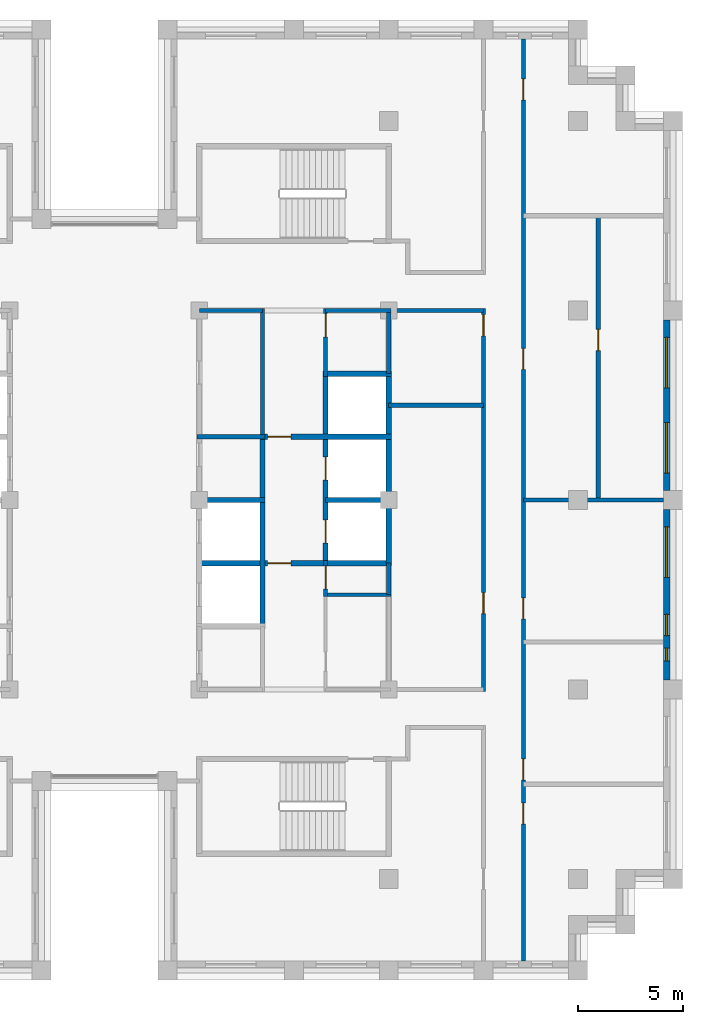
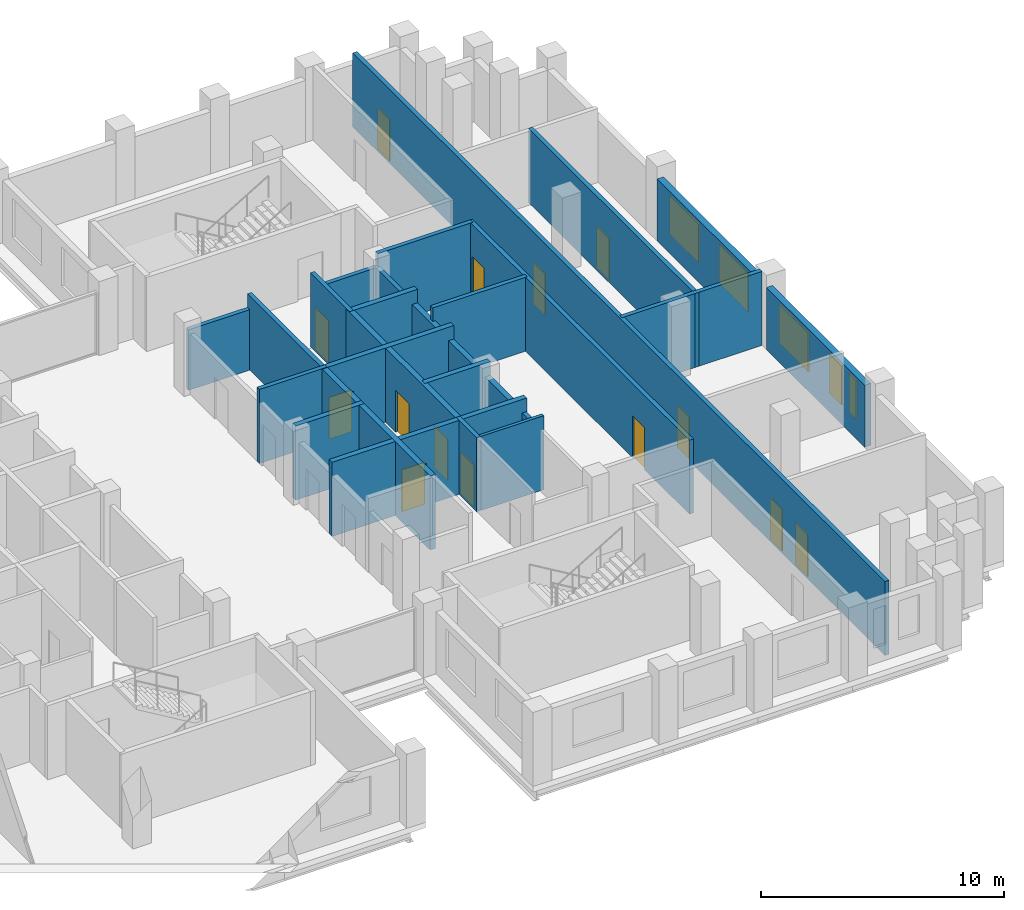
# One storey, part 9 of 13: 25 walls, 14 doors, 5 windows, 19 openings.
"""IFC4 building model written with IfcOpenShell, lengths in metres."""

from ifc_helpers import new_model, si_unit, direction, frame, frame_2d, origin, place, context, subcontext, project, spatial, rectangle, extrude, material, layer, layer_set, type_object, element, fill, save


model = new_model("IFC4")

# Units and contexts
model_context = context("Model", 3, precision=1e-05, world=origin(), true_north=direction((0.0, 1.0)))
body_context = subcontext(model_context, "Body", "Model", "MODEL_VIEW")
ifc_project = project(units=[si_unit("LENGTHUNIT", "METRE"), si_unit("AREAUNIT", "SQUARE_METRE"), si_unit("VOLUMEUNIT", "CUBIC_METRE"), si_unit("PLANEANGLEUNIT", "RADIAN"), si_unit("MASSUNIT", "GRAM", prefix="KILO")], contexts=[model_context])

# Site, building, storey
site_placement = place(None, origin())
site = spatial("IfcSite", under=ifc_project, at=site_placement, CompositionType="ELEMENT")
building_placement = place(site_placement, origin())
building = spatial("IfcBuilding", under=site, at=building_placement, Name="Corbelhall Arena Tower", CompositionType="ELEMENT")
storey_placement = place(building_placement, frame((0.0, 0.0, 250.0)))
storey = spatial("IfcBuildingStorey", under=building, at=storey_placement, Name="L53", CompositionType="ELEMENT", Elevation=250.0)

# Wall, openings, windows
ifc_material_1 = material(Name="Precast concrete C40/50 with granite facing", Category="masonry")
ifc_layer_1 = layer(ifc_material_1, 0.300048828125)
ifc_layer_set_1 = layer_set([ifc_layer_1], Name="EV-IW1 Infill panel 300")
wall_type_1 = type_object("IfcWallType", Name="EV-IW1 Infill panel 300", PredefinedType="SOLIDWALL", material=ifc_layer_set_1)
wall_1_placement = place(storey_placement, frame((26.699951171875, -8.550048828125, 0.0), z_axis=(0.0, 0.0, 1.0), x_axis=(0.0, 1.0, 0.0)))
wall_1 = element("IfcWall", 1, at=wall_1_placement, inside=storey, type_object=wall_type_1, Name="Infill panel IW1", PredefinedType="SOLIDWALL", context=body_context, shape_type="SweptSolid", body=[
    extrude(rectangle(XDim=8.10009765625, YDim=0.300048828125, at=frame_2d((4.050048828125, 0.0))), origin(), (0.0, 0.0, 1.0), 3.1201171875),
])
opening_1_placement = place(wall_1_placement, frame((4.875, 0.0, 0.800048828125)))
opening_1 = element("IfcOpeningElement", 2, at=opening_1_placement, cuts=wall_1, Name="Opening WN1", PredefinedType="OPENING", context=body_context, shape_type="SweptSolid", body=[
    extrude(rectangle(XDim=2.39990234375, YDim=1.949951171875, at=frame_2d((1.199951171875, 0.97509765625))), frame((0.0, 0.14990234375, 0.0), z_axis=(0.0, -1.0, 0.0), x_axis=(1.0, 0.0, 0.0)), (0.0, 0.0, 1.0), 0.300048828125),
])
opening_2_placement = place(wall_1_placement, frame((0.91259765625, 0.0, 0.800048828125)))
opening_2 = element("IfcOpeningElement", 3, at=opening_2_placement, cuts=wall_1, Name="Opening WN5", PredefinedType="OPENING", context=body_context, shape_type="SweptSolid", body=[
    extrude(rectangle(XDim=0.60009765625, YDim=1.949951171875, at=frame_2d((0.300048828125, 0.97509765625))), frame((0.0, 0.14990234375, 0.0), z_axis=(0.0, -1.0, 0.0), x_axis=(1.0, 0.0, 0.0)), (0.0, 0.0, 1.0), 0.300048828125),
])
opening_3_placement = place(wall_1_placement, frame((2.112548828125, 0.0, 0.800048828125)))
opening_3 = element("IfcOpeningElement", 4, at=opening_3_placement, cuts=wall_1, Name="Opening WN6", PredefinedType="OPENING", context=body_context, shape_type="SweptSolid", body=[
    extrude(rectangle(XDim=1.0, YDim=1.949951171875, at=frame_2d((0.5, 0.97509765625))), frame((0.0, 0.14990234375, 0.0), z_axis=(0.0, -1.0, 0.0), x_axis=(1.0, 0.0, 0.0)), (0.0, 0.0, 1.0), 0.300048828125),
])
ifc_material_2 = material(Name="Aluminium black anodised", Category="aluminium")
window_type_1 = type_object("IfcWindowType", Name="EV-WN1 Office window", PartitioningType="SINGLE_PANEL", PredefinedType="WINDOW", material=ifc_material_2)
window_1_placement = place(opening_1_placement, origin())
window_1 = element("IfcWindow", 5, at=window_1_placement, inside=storey, type_object=window_type_1, Name="Window WN1", OverallHeight=1.949951171875, OverallWidth=2.39990234375, PartitioningType="SINGLE_PANEL", PredefinedType="WINDOW", context=body_context, shape_type="SweptSolid", body=[
    extrude(rectangle(XDim=2.39990234375, YDim=1.949951171875, at=frame_2d((1.199951171875, 0.97509765625))), frame((0.0, 0.030029296875, 0.0), z_axis=(0.0, -1.0, 0.0), x_axis=(1.0, 0.0, 0.0)), (0.0, 0.0, 1.0), 0.06005859375),
])
fill(opening_1, window_1)
window_type_2 = type_object("IfcWindowType", Name="EV-WN5 Office window 600", PartitioningType="SINGLE_PANEL", PredefinedType="WINDOW", material=ifc_material_2)
window_2_placement = place(opening_2_placement, origin())
window_2 = element("IfcWindow", 6, at=window_2_placement, inside=storey, type_object=window_type_2, Name="Window WN5", OverallHeight=1.949951171875, OverallWidth=0.60009765625, PartitioningType="SINGLE_PANEL", PredefinedType="WINDOW", context=body_context, shape_type="SweptSolid", body=[
    extrude(rectangle(XDim=0.60009765625, YDim=1.949951171875, at=frame_2d((0.300048828125, 0.97509765625))), frame((0.0, 0.030029296875, 0.0), z_axis=(0.0, -1.0, 0.0), x_axis=(1.0, 0.0, 0.0)), (0.0, 0.0, 1.0), 0.06005859375),
])
fill(opening_2, window_2)
window_type_3 = type_object("IfcWindowType", Name="EV-WN6 Office window 1000", PartitioningType="SINGLE_PANEL", PredefinedType="WINDOW", material=ifc_material_2)
window_3_placement = place(opening_3_placement, origin())
window_3 = element("IfcWindow", 7, at=window_3_placement, inside=storey, type_object=window_type_3, Name="Window WN6", OverallHeight=1.949951171875, OverallWidth=1.0, PartitioningType="SINGLE_PANEL", PredefinedType="WINDOW", context=body_context, shape_type="SweptSolid", body=[
    extrude(rectangle(XDim=1.0, YDim=1.949951171875, at=frame_2d((0.5, 0.97509765625))), frame((0.0, 0.030029296875, 0.0), z_axis=(0.0, -1.0, 0.0), x_axis=(1.0, 0.0, 0.0)), (0.0, 0.0, 1.0), 0.06005859375),
])
fill(opening_3, window_3)

wall_2_placement = place(storey_placement, frame((26.699951171875, 0.449951171875, 0.0), z_axis=(0.0, 0.0, 1.0), x_axis=(0.0, 1.0, 0.0)))
wall_2 = element("IfcWall", 8, at=wall_2_placement, inside=storey, type_object=wall_type_1, Name="Infill panel IW1", PredefinedType="SOLIDWALL", context=body_context, shape_type="SweptSolid", body=[
    extrude(rectangle(XDim=8.10009765625, YDim=0.300048828125, at=frame_2d((4.050048828125, 0.0))), origin(), (0.0, 0.0, 1.0), 3.1201171875),
])
opening_4_placement = place(wall_2_placement, frame((0.824951171875, 0.0, 0.800048828125)))
opening_4 = element("IfcOpeningElement", 9, at=opening_4_placement, cuts=wall_2, Name="Opening WN1", PredefinedType="OPENING", context=body_context, shape_type="SweptSolid", body=[
    extrude(rectangle(XDim=2.39990234375, YDim=1.949951171875, at=frame_2d((1.199951171875, 0.97509765625))), frame((0.0, 0.14990234375, 0.0), z_axis=(0.0, -1.0, 0.0), x_axis=(1.0, 0.0, 0.0)), (0.0, 0.0, 1.0), 0.300048828125),
])
opening_5_placement = place(wall_2_placement, frame((4.875, 0.0, 0.800048828125)))
opening_5 = element("IfcOpeningElement", 10, at=opening_5_placement, cuts=wall_2, Name="Opening WN1", PredefinedType="OPENING", context=body_context, shape_type="SweptSolid", body=[
    extrude(rectangle(XDim=2.39990234375, YDim=1.949951171875, at=frame_2d((1.199951171875, 0.97509765625))), frame((0.0, 0.14990234375, 0.0), z_axis=(0.0, -1.0, 0.0), x_axis=(1.0, 0.0, 0.0)), (0.0, 0.0, 1.0), 0.300048828125),
])
window_4_placement = place(opening_4_placement, origin())
window_4 = element("IfcWindow", 11, at=window_4_placement, inside=storey, type_object=window_type_1, Name="Window WN1", OverallHeight=1.949951171875, OverallWidth=2.39990234375, PartitioningType="SINGLE_PANEL", PredefinedType="WINDOW", context=body_context, shape_type="SweptSolid", body=[
    extrude(rectangle(XDim=2.39990234375, YDim=1.949951171875, at=frame_2d((1.199951171875, 0.97509765625))), frame((0.0, 0.030029296875, 0.0), z_axis=(0.0, -1.0, 0.0), x_axis=(1.0, 0.0, 0.0)), (0.0, 0.0, 1.0), 0.06005859375),
])
fill(opening_4, window_4)
window_5_placement = place(opening_5_placement, origin())
window_5 = element("IfcWindow", 12, at=window_5_placement, inside=storey, type_object=window_type_1, Name="Window WN1", OverallHeight=1.949951171875, OverallWidth=2.39990234375, PartitioningType="SINGLE_PANEL", PredefinedType="WINDOW", context=body_context, shape_type="SweptSolid", body=[
    extrude(rectangle(XDim=2.39990234375, YDim=1.949951171875, at=frame_2d((1.199951171875, 0.97509765625))), frame((0.0, 0.030029296875, 0.0), z_axis=(0.0, -1.0, 0.0), x_axis=(1.0, 0.0, 0.0)), (0.0, 0.0, 1.0), 0.06005859375),
])
fill(opening_5, window_5)

# Walls
ifc_material_3 = material(Name="Gypsum board on steel stud, acoustic", Category="steel")
ifc_layer_2 = layer(ifc_material_3, 0.199951171875)
ifc_layer_set_2 = layer_set([ifc_layer_2], Name="IN-W-DM200")
wall_type_2 = type_object("IfcWallType", Name="IN-W-DM200", PredefinedType="PARTITIONING", material=ifc_layer_set_2)
for number, where, z_axis, x_axis, name in (
    (13, (13.5, 4.5, 0.0), (0.0, 0.0, 1.0), (1.0, 0.0, 0.0), "Partition 028"),
    (14, (18.0, 9.0, 0.0), (0.0, 0.0, 1.0), (-1.0, 0.0, 0.0), "Partition 031"),
):
    element("IfcWall", number, at=place(storey_placement, frame(where, z_axis=z_axis, x_axis=x_axis)), inside=storey, type_object=wall_type_2, Name=name, PredefinedType="PARTITIONING", context=body_context, shape_type="SweptSolid", body=[
        extrude(rectangle(XDim=4.5, YDim=0.199951171875, at=frame_2d((2.25, 0.0))), origin(), (0.0, 0.0, 1.0), 3.719970703125),
    ])

# Wall, openings, doors
wall_3_placement = place(storey_placement, frame((18.0, -9.10009765625, 0.0), z_axis=(0.0, 0.0, 1.0), x_axis=(0.0, 1.0, 0.0)))
wall_3 = element("IfcWall", 15, at=wall_3_placement, inside=storey, type_object=wall_type_2, Name="Partition 036", PredefinedType="PARTITIONING", context=body_context, shape_type="SweptSolid", body=[
    extrude(rectangle(XDim=18.2001953125, YDim=0.199951171875, at=frame_2d((9.10009765625, 0.0))), origin(), (0.0, 0.0, 1.0), 3.719970703125),
])
opening_6_placement = place(wall_3_placement, frame((3.699951171875, 0.0, 0.0)))
opening_6 = element("IfcOpeningElement", 16, at=opening_6_placement, cuts=wall_3, Name="Opening 16023", PredefinedType="OPENING", context=body_context, shape_type="SweptSolid", body=[
    extrude(rectangle(XDim=1.0, YDim=2.10009765625, at=frame_2d((0.5, 1.050048828125))), frame((0.0, 0.10009765625, 0.0), z_axis=(0.0, -1.0, 0.0), x_axis=(1.0, 0.0, 0.0)), (0.0, 0.0, 1.0), 0.199951171875),
])
opening_7_placement = place(wall_3_placement, frame((16.89990234375, 0.0, 0.0)))
opening_7 = element("IfcOpeningElement", 17, at=opening_7_placement, cuts=wall_3, Name="Opening 16024", PredefinedType="OPENING", context=body_context, shape_type="SweptSolid", body=[
    extrude(rectangle(XDim=1.0, YDim=2.10009765625, at=frame_2d((0.5, 1.050048828125))), frame((0.0, 0.10009765625, 0.0), z_axis=(0.0, -1.0, 0.0), x_axis=(1.0, 0.0, 0.0)), (0.0, 0.0, 1.0), 0.199951171875),
])
ifc_material_4 = material(Name="Steel door set", Category="steel")
door_type_1 = type_object("IfcDoorType", Name="IN-D-SW100", OperationType="NOTDEFINED", PredefinedType="DOOR", material=ifc_material_4)
door_1_placement = place(opening_6_placement, origin())
door_1 = element("IfcDoor", 18, at=door_1_placement, inside=storey, type_object=door_type_1, Name="Door 023", OperationType="SINGLE_SWING_RIGHT", OverallHeight=2.10009765625, OverallWidth=1.0, PredefinedType="DOOR", context=body_context, shape_type="SweptSolid", body=[
    extrude(rectangle(XDim=1.0, YDim=2.10009765625, at=frame_2d((0.5, 1.050048828125))), frame((0.0, 0.02490234375, 0.0), z_axis=(0.0, -1.0, 0.0), x_axis=(1.0, 0.0, 0.0)), (0.0, 0.0, 1.0), 0.050048828125),
])
fill(opening_6, door_1)
door_2_placement = place(opening_7_placement, origin())
door_2 = element("IfcDoor", 19, at=door_2_placement, inside=storey, type_object=door_type_1, Name="Door 024", OperationType="SINGLE_SWING_LEFT", OverallHeight=2.10009765625, OverallWidth=1.0, PredefinedType="DOOR", context=body_context, shape_type="SweptSolid", body=[
    extrude(rectangle(XDim=1.0, YDim=2.10009765625, at=frame_2d((0.5, 1.050048828125))), frame((0.0, 0.02490234375, 0.0), z_axis=(0.0, -1.0, 0.0), x_axis=(1.0, 0.0, 0.0)), (0.0, 0.0, 1.0), 0.050048828125),
])
fill(opening_7, door_2)

wall_4_placement = place(storey_placement, frame((19.89990234375, 21.89990234375, 0.0), z_axis=(0.0, 0.0, 1.0), x_axis=(0.0, -1.0, 0.0)))
wall_4 = element("IfcWall", 20, at=wall_4_placement, inside=storey, type_object=wall_type_2, Name="Partition 039", PredefinedType="PARTITIONING", context=body_context, shape_type="SweptSolid", body=[
    extrude(rectangle(XDim=43.7998046875, YDim=0.199951171875, at=frame_2d((21.89990234375, 0.0))), origin(), (0.0, 0.0, 1.0), 3.719970703125),
])
opening_8_placement = place(wall_4_placement, frame((14.699951171875, 0.0, 0.0)))
opening_8 = element("IfcOpeningElement", 21, at=opening_8_placement, cuts=wall_4, Name="Opening 16034", PredefinedType="OPENING", context=body_context, shape_type="SweptSolid", body=[
    extrude(rectangle(XDim=1.0, YDim=2.10009765625, at=frame_2d((0.5, 1.050048828125))), frame((0.0, 0.10009765625, 0.0), z_axis=(0.0, -1.0, 0.0), x_axis=(1.0, 0.0, 0.0)), (0.0, 0.0, 1.0), 0.199951171875),
])
opening_9_placement = place(wall_4_placement, frame((1.89990234375, 0.0, 0.0)))
opening_9 = element("IfcOpeningElement", 22, at=opening_9_placement, cuts=wall_4, Name="Opening 16036", PredefinedType="OPENING", context=body_context, shape_type="SweptSolid", body=[
    extrude(rectangle(XDim=1.0, YDim=2.10009765625, at=frame_2d((0.5, 1.050048828125))), frame((0.0, 0.10009765625, 0.0), z_axis=(0.0, -1.0, 0.0), x_axis=(1.0, 0.0, 0.0)), (0.0, 0.0, 1.0), 0.199951171875),
])
opening_10_placement = place(wall_4_placement, frame((36.300048828125, 0.0, 0.0)))
opening_10 = element("IfcOpeningElement", 23, at=opening_10_placement, cuts=wall_4, Name="Opening 16037", PredefinedType="OPENING", context=body_context, shape_type="SweptSolid", body=[
    extrude(rectangle(XDim=1.0, YDim=2.10009765625, at=frame_2d((0.5, 1.050048828125))), frame((0.0, 0.10009765625, 0.0), z_axis=(0.0, -1.0, 0.0), x_axis=(1.0, 0.0, 0.0)), (0.0, 0.0, 1.0), 0.199951171875),
])
opening_11_placement = place(wall_4_placement, frame((34.199951171875, 0.0, 0.0)))
opening_11 = element("IfcOpeningElement", 24, at=opening_11_placement, cuts=wall_4, Name="Opening 16338", PredefinedType="OPENING", context=body_context, shape_type="SweptSolid", body=[
    extrude(rectangle(XDim=1.0, YDim=2.10009765625, at=frame_2d((0.5, 1.050048828125))), frame((0.0, 0.10009765625, 0.0), z_axis=(0.0, -1.0, 0.0), x_axis=(1.0, 0.0, 0.0)), (0.0, 0.0, 1.0), 0.199951171875),
])
opening_12_placement = place(wall_4_placement, frame((26.550048828125, 0.0, 0.0)))
opening_12 = element("IfcOpeningElement", 25, at=opening_12_placement, cuts=wall_4, Name="Opening 16039", PredefinedType="OPENING", context=body_context, shape_type="SweptSolid", body=[
    extrude(rectangle(XDim=1.0, YDim=2.10009765625, at=frame_2d((0.5, 1.050048828125))), frame((0.0, 0.10009765625, 0.0), z_axis=(0.0, -1.0, 0.0), x_axis=(1.0, 0.0, 0.0)), (0.0, 0.0, 1.0), 0.199951171875),
])
door_3_placement = place(opening_8_placement, origin())
door_3 = element("IfcDoor", 26, at=door_3_placement, inside=storey, type_object=door_type_1, Name="Door 034", OperationType="SINGLE_SWING_LEFT", OverallHeight=2.10009765625, OverallWidth=1.0, PredefinedType="DOOR", context=body_context, shape_type="SweptSolid", body=[
    extrude(rectangle(XDim=1.0, YDim=2.10009765625, at=frame_2d((0.5, 1.050048828125))), frame((0.0, 0.02490234375, 0.0), z_axis=(0.0, -1.0, 0.0), x_axis=(1.0, 0.0, 0.0)), (0.0, 0.0, 1.0), 0.050048828125),
])
fill(opening_8, door_3)
door_4_placement = place(opening_9_placement, origin())
door_4 = element("IfcDoor", 27, at=door_4_placement, inside=storey, type_object=door_type_1, Name="Door 036", OperationType="SINGLE_SWING_LEFT", OverallHeight=2.10009765625, OverallWidth=1.0, PredefinedType="DOOR", context=body_context, shape_type="SweptSolid", body=[
    extrude(rectangle(XDim=1.0, YDim=2.10009765625, at=frame_2d((0.5, 1.050048828125))), frame((0.0, 0.02490234375, 0.0), z_axis=(0.0, -1.0, 0.0), x_axis=(1.0, 0.0, 0.0)), (0.0, 0.0, 1.0), 0.050048828125),
])
fill(opening_9, door_4)
door_5_placement = place(opening_10_placement, origin())
door_5 = element("IfcDoor", 28, at=door_5_placement, inside=storey, type_object=door_type_1, Name="Door 037", OperationType="SINGLE_SWING_RIGHT", OverallHeight=2.10009765625, OverallWidth=1.0, PredefinedType="DOOR", context=body_context, shape_type="SweptSolid", body=[
    extrude(rectangle(XDim=1.0, YDim=2.10009765625, at=frame_2d((0.5, 1.050048828125))), frame((0.0, 0.02490234375, 0.0), z_axis=(0.0, -1.0, 0.0), x_axis=(1.0, 0.0, 0.0)), (0.0, 0.0, 1.0), 0.050048828125),
])
fill(opening_10, door_5)
door_6_placement = place(opening_11_placement, origin())
door_6 = element("IfcDoor", 29, at=door_6_placement, inside=storey, type_object=door_type_1, Name="Door 038", OperationType="SINGLE_SWING_LEFT", OverallHeight=2.10009765625, OverallWidth=1.0, PredefinedType="DOOR", context=body_context, shape_type="SweptSolid", body=[
    extrude(rectangle(XDim=1.0, YDim=2.10009765625, at=frame_2d((0.5, 1.050048828125))), frame((0.0, 0.02490234375, 0.0), z_axis=(0.0, -1.0, 0.0), x_axis=(1.0, 0.0, 0.0)), (0.0, 0.0, 1.0), 0.050048828125),
])
fill(opening_11, door_6)
door_7_placement = place(opening_12_placement, origin())
door_7 = element("IfcDoor", 30, at=door_7_placement, inside=storey, type_object=door_type_1, Name="Door 039", OperationType="SINGLE_SWING_RIGHT", OverallHeight=2.10009765625, OverallWidth=1.0, PredefinedType="DOOR", context=body_context, shape_type="SweptSolid", body=[
    extrude(rectangle(XDim=1.0, YDim=2.10009765625, at=frame_2d((0.5, 1.050048828125))), frame((0.0, 0.02490234375, 0.0), z_axis=(0.0, -1.0, 0.0), x_axis=(1.0, 0.0, 0.0)), (0.0, 0.0, 1.0), 0.050048828125),
])
fill(opening_12, door_7)

# Wall
wall_5_placement = place(storey_placement, frame((26.550048828125, 0.0, 0.0), z_axis=(0.0, 0.0, 1.0), x_axis=(-1.0, 0.0, 0.0)))
element("IfcWall", 31, at=wall_5_placement, inside=storey, type_object=wall_type_2, Name="Partition 042", PredefinedType="PARTITIONING", context=body_context, shape_type="SweptSolid", body=[
    extrude(rectangle(XDim=6.650146484375, YDim=0.199951171875, at=frame_2d((3.3251953125, 0.0))), origin(), (0.0, 0.0, 1.0), 3.719970703125),
])

# Wall, opening, door
wall_6_placement = place(storey_placement, frame((23.449951171875, 13.60009765625, 0.0), z_axis=(0.0, 0.0, 1.0), x_axis=(0.0, -1.0, 0.0)))
wall_6 = element("IfcWall", 32, at=wall_6_placement, inside=storey, type_object=wall_type_2, Name="Partition 043", PredefinedType="PARTITIONING", context=body_context, shape_type="SweptSolid", body=[
    extrude(rectangle(XDim=13.7001953125, YDim=0.199951171875, at=frame_2d((6.85009765625, 0.0))), origin(), (0.0, 0.0, 1.0), 3.719970703125),
])
opening_13_placement = place(wall_6_placement, frame((5.5, 0.0, 0.0)))
opening_13 = element("IfcOpeningElement", 33, at=opening_13_placement, cuts=wall_6, Name="Opening 16035", PredefinedType="OPENING", context=body_context, shape_type="SweptSolid", body=[
    extrude(rectangle(XDim=1.0, YDim=2.10009765625, at=frame_2d((0.5, 1.050048828125))), frame((0.0, 0.10009765625, 0.0), z_axis=(0.0, -1.0, 0.0), x_axis=(1.0, 0.0, 0.0)), (0.0, 0.0, 1.0), 0.199951171875),
])
door_8_placement = place(opening_13_placement, origin())
door_8 = element("IfcDoor", 34, at=door_8_placement, inside=storey, type_object=door_type_1, Name="Door 035", OperationType="SINGLE_SWING_RIGHT", OverallHeight=2.10009765625, OverallWidth=1.0, PredefinedType="DOOR", context=body_context, shape_type="SweptSolid", body=[
    extrude(rectangle(XDim=1.0, YDim=2.10009765625, at=frame_2d((0.5, 1.050048828125))), frame((0.0, 0.02490234375, 0.0), z_axis=(0.0, -1.0, 0.0), x_axis=(1.0, 0.0, 0.0)), (0.0, 0.0, 1.0), 0.050048828125),
])
fill(opening_13, door_8)

# Walls
ifc_material_5 = material(Name="Concrete block wall", Category="concrete")
ifc_layer_3 = layer(ifc_material_5, 0.199951171875)
ifc_layer_set_3 = layer_set([ifc_layer_3], Name="IN-W-RS200")
wall_type_3 = type_object("IfcWallType", Name="IN-W-RS200", PredefinedType="SOLIDWALL", material=ifc_layer_set_3)
wall_7_placement = place(storey_placement, frame((4.39990234375, 3.0, 0.0), z_axis=(0.0, 0.0, 1.0), x_axis=(1.0, 0.0, 0.0)))
element("IfcWall", 35, at=wall_7_placement, inside=storey, type_object=wall_type_3, Name="Partition 056", PredefinedType="SOLIDWALL", context=body_context, shape_type="SweptSolid", body=[
    extrude(rectangle(XDim=3.22509765625, YDim=0.199951171875, at=frame_2d((1.612548828125, 0.0))), origin(), (0.0, 0.0, 1.0), 3.719970703125),
])
wall_8_placement = place(storey_placement, frame((7.5, 9.10009765625, 0.0), z_axis=(0.0, 0.0, 1.0), x_axis=(0.0, -1.0, 0.0)))
element("IfcWall", 36, at=wall_8_placement, inside=storey, type_object=wall_type_3, Name="Partition 062", PredefinedType="SOLIDWALL", context=body_context, shape_type="SweptSolid", body=[
    extrude(rectangle(XDim=6.22509765625, YDim=0.199951171875, at=frame_2d((3.112548828125, 0.0))), origin(), (0.0, 0.0, 1.0), 3.719970703125),
])

# Wall, opening, door
wall_9_placement = place(storey_placement, frame((10.5, -2.875, 0.0), z_axis=(0.0, 0.0, 1.0), x_axis=(0.0, -1.0, 0.0)))
wall_9 = element("IfcWall", 37, at=wall_9_placement, inside=storey, type_object=wall_type_3, Name="Partition 063", PredefinedType="SOLIDWALL", context=body_context, shape_type="SweptSolid", body=[
    extrude(rectangle(XDim=1.699951171875, YDim=0.199951171875, at=frame_2d((0.85009765625, 0.0))), origin(), (0.0, 0.0, 1.0), 3.719970703125),
])
opening_14_placement = place(wall_9_placement, frame((0.25, 0.0, 0.0)))
opening_14 = element("IfcOpeningElement", 38, at=opening_14_placement, cuts=wall_9, Name="Opening 16015", PredefinedType="OPENING", context=body_context, shape_type="SweptSolid", body=[
    extrude(rectangle(XDim=1.10009765625, YDim=2.10009765625, at=frame_2d((0.550048828125, 1.050048828125))), frame((0.0, 0.10009765625, 0.0), z_axis=(0.0, -1.0, 0.0), x_axis=(1.0, 0.0, 0.0)), (0.0, 0.0, 1.0), 0.199951171875),
])
door_type_2 = type_object("IfcDoorType", Name="IN-D-FD110", OperationType="NOTDEFINED", PredefinedType="DOOR", material=ifc_material_4)
door_9_placement = place(opening_14_placement, origin())
door_9 = element("IfcDoor", 39, at=door_9_placement, inside=storey, type_object=door_type_2, Name="Door 015", OperationType="SINGLE_SWING_RIGHT", OverallHeight=2.10009765625, OverallWidth=1.10009765625, PredefinedType="DOOR", context=body_context, shape_type="SweptSolid", body=[
    extrude(rectangle(XDim=1.10009765625, YDim=2.10009765625, at=frame_2d((0.550048828125, 1.050048828125))), frame((0.0, 0.02490234375, 0.0), z_axis=(0.0, -1.0, 0.0), x_axis=(1.0, 0.0, 0.0)), (0.0, 0.0, 1.0), 0.050048828125),
])
fill(opening_14, door_9)

wall_10_placement = place(storey_placement, frame((10.5, 9.10009765625, 0.0), z_axis=(0.0, 0.0, 1.0), x_axis=(0.0, -1.0, 0.0)))
wall_10 = element("IfcWall", 40, at=wall_10_placement, inside=storey, type_object=wall_type_3, Name="Partition 065", PredefinedType="SOLIDWALL", context=body_context, shape_type="SweptSolid", body=[
    extrude(rectangle(XDim=3.22509765625, YDim=0.199951171875, at=frame_2d((1.612548828125, 0.0))), origin(), (0.0, 0.0, 1.0), 3.719970703125),
])
opening_15_placement = place(wall_10_placement, frame((0.25, 0.0, 0.0)))
opening_15 = element("IfcOpeningElement", 41, at=opening_15_placement, cuts=wall_10, Name="Opening 16016", PredefinedType="OPENING", context=body_context, shape_type="SweptSolid", body=[
    extrude(rectangle(XDim=1.10009765625, YDim=2.10009765625, at=frame_2d((0.550048828125, 1.050048828125))), frame((0.0, 0.10009765625, 0.0), z_axis=(0.0, -1.0, 0.0), x_axis=(1.0, 0.0, 0.0)), (0.0, 0.0, 1.0), 0.199951171875),
])
door_10_placement = place(opening_15_placement, origin())
door_10 = element("IfcDoor", 42, at=door_10_placement, inside=storey, type_object=door_type_2, Name="Door 016", OperationType="SINGLE_SWING_LEFT", OverallHeight=2.10009765625, OverallWidth=1.10009765625, PredefinedType="DOOR", context=body_context, shape_type="SweptSolid", body=[
    extrude(rectangle(XDim=1.10009765625, YDim=2.10009765625, at=frame_2d((0.550048828125, 1.050048828125))), frame((0.0, 0.02490234375, 0.0), z_axis=(0.0, -1.0, 0.0), x_axis=(1.0, 0.0, 0.0)), (0.0, 0.0, 1.0), 0.050048828125),
])
fill(opening_15, door_10)

# Walls
ifc_layer_4 = layer(ifc_material_5, 0.199951171875)
ifc_layer_set_4 = layer_set([ifc_layer_4], Name="IN-W-RS200 under beam 678 mm")
wall_type_4 = type_object("IfcWallType", Name="IN-W-RS200 under beam 678 mm", PredefinedType="SOLIDWALL", material=ifc_layer_set_4)
wall_11_placement = place(storey_placement, frame((4.5, 9.0, 0.0), z_axis=(0.0, 0.0, 1.0), x_axis=(1.0, 0.0, 0.0)))
element("IfcWall", 43, at=wall_11_placement, inside=storey, type_object=wall_type_4, Name="Partition 059", PredefinedType="SOLIDWALL", context=body_context, shape_type="SweptSolid", body=[
    extrude(rectangle(XDim=3.0, YDim=0.199951171875, at=frame_2d((1.5, 0.0))), origin(), (0.0, 0.0, 1.0), 3.041748046875),
])
wall_12_placement = place(storey_placement, frame((10.5, 9.0, 0.0), z_axis=(0.0, 0.0, 1.0), x_axis=(1.0, 0.0, 0.0)))
element("IfcWall", 44, at=wall_12_placement, inside=storey, type_object=wall_type_4, Name="Partition 064", PredefinedType="SOLIDWALL", context=body_context, shape_type="SweptSolid", body=[
    extrude(rectangle(XDim=3.10009765625, YDim=0.199951171875, at=frame_2d((1.550048828125, 0.0))), origin(), (0.0, 0.0, 1.0), 3.041748046875),
])
wall_13_placement = place(storey_placement, frame((13.5, -3.0, 0.0), z_axis=(0.0, 0.0, 1.0), x_axis=(0.0, -1.0, 0.0)))
element("IfcWall", 45, at=wall_13_placement, inside=storey, type_object=wall_type_4, Name="Partition 066", PredefinedType="SOLIDWALL", context=body_context, shape_type="SweptSolid", body=[
    extrude(rectangle(XDim=1.5, YDim=0.199951171875, at=frame_2d((0.75, 0.0))), origin(), (0.0, 0.0, 1.0), 3.041748046875),
])
wall_14_placement = place(storey_placement, frame((13.5, 9.10009765625, 0.0), z_axis=(0.0, 0.0, 1.0), x_axis=(0.0, -1.0, 0.0)))
element("IfcWall", 46, at=wall_14_placement, inside=storey, type_object=wall_type_4, Name="Partition 067", PredefinedType="SOLIDWALL", context=body_context, shape_type="SweptSolid", body=[
    extrude(rectangle(XDim=3.10009765625, YDim=0.199951171875, at=frame_2d((1.550048828125, 0.0))), origin(), (0.0, 0.0, 1.0), 3.041748046875),
])

# Wall, opening, door
ifc_material_6 = material(Name="Concrete C40/50", Category="concrete")
ifc_layer_5 = layer(ifc_material_6, 0.25)
ifc_layer_set_5 = layer_set([ifc_layer_5], Name="IN-W-SH250")
wall_type_5 = type_object("IfcWallType", Name="IN-W-SH250", PredefinedType="SOLIDWALL", material=ifc_layer_set_5)
wall_15_placement = place(storey_placement, frame((4.375, -3.0, 0.0), z_axis=(0.0, 0.0, 1.0), x_axis=(1.0, 0.0, 0.0)))
wall_15 = element("IfcWall", 47, at=wall_15_placement, inside=storey, type_object=wall_type_5, Name="Shaft wall 078", PredefinedType="SOLIDWALL", context=body_context, shape_type="SweptSolid", body=[
    extrude(rectangle(XDim=9.25, YDim=0.25, at=frame_2d((4.625, 0.0))), origin(), (0.0, 0.0, 1.0), 3.719970703125),
])
opening_16_placement = place(wall_15_placement, frame((3.375, 0.0, 0.0)))
opening_16 = element("IfcOpeningElement", 48, at=opening_16_placement, cuts=wall_15, Name="Opening 16012", PredefinedType="OPENING", context=body_context, shape_type="SweptSolid", body=[
    extrude(rectangle(XDim=1.10009765625, YDim=2.10009765625, at=frame_2d((0.550048828125, 1.050048828125))), frame((0.0, 0.125, 0.0), z_axis=(0.0, -1.0, 0.0), x_axis=(1.0, 0.0, 0.0)), (0.0, 0.0, 1.0), 0.25),
])
door_11_placement = place(opening_16_placement, origin())
door_11 = element("IfcDoor", 49, at=door_11_placement, inside=storey, type_object=door_type_2, Name="Door 012", OperationType="SINGLE_SWING_LEFT", OverallHeight=2.10009765625, OverallWidth=1.10009765625, PredefinedType="DOOR", context=body_context, shape_type="SweptSolid", body=[
    extrude(rectangle(XDim=1.10009765625, YDim=2.10009765625, at=frame_2d((0.550048828125, 1.050048828125))), frame((0.0, 0.02490234375, 0.0), z_axis=(0.0, -1.0, 0.0), x_axis=(1.0, 0.0, 0.0)), (0.0, 0.0, 1.0), 0.050048828125),
])
fill(opening_16, door_11)

# Walls
wall_16_placement = place(storey_placement, frame((4.375, 0.0, 0.0), z_axis=(0.0, 0.0, 1.0), x_axis=(1.0, 0.0, 0.0)))
element("IfcWall", 50, at=wall_16_placement, inside=storey, type_object=wall_type_5, Name="Shaft wall 079", PredefinedType="SOLIDWALL", context=body_context, shape_type="SweptSolid", body=[
    extrude(rectangle(XDim=3.25, YDim=0.25, at=frame_2d((1.625, 0.0))), origin(), (0.0, 0.0, 1.0), 3.719970703125),
])
wall_17_placement = place(storey_placement, frame((7.5, 3.125, 0.0), z_axis=(0.0, 0.0, 1.0), x_axis=(0.0, -1.0, 0.0)))
element("IfcWall", 51, at=wall_17_placement, inside=storey, type_object=wall_type_5, Name="Shaft wall 081", PredefinedType="SOLIDWALL", context=body_context, shape_type="SweptSolid", body=[
    extrude(rectangle(XDim=9.125, YDim=0.25, at=frame_2d((4.5625, 0.0))), origin(), (0.0, 0.0, 1.0), 3.719970703125),
])

# Wall, opening, door
wall_18_placement = place(storey_placement, frame((7.5, 3.0, 0.0), z_axis=(0.0, 0.0, 1.0), x_axis=(1.0, 0.0, 0.0)))
wall_18 = element("IfcWall", 52, at=wall_18_placement, inside=storey, type_object=wall_type_5, Name="Shaft wall 082", PredefinedType="SOLIDWALL", context=body_context, shape_type="SweptSolid", body=[
    extrude(rectangle(XDim=6.125, YDim=0.25, at=frame_2d((3.0625, 0.0))), origin(), (0.0, 0.0, 1.0), 3.719970703125),
])
opening_17_placement = place(wall_18_placement, frame((0.25, 0.0, 0.0)))
opening_17 = element("IfcOpeningElement", 53, at=opening_17_placement, cuts=wall_18, Name="Opening 16013", PredefinedType="OPENING", context=body_context, shape_type="SweptSolid", body=[
    extrude(rectangle(XDim=1.10009765625, YDim=2.10009765625, at=frame_2d((0.550048828125, 1.050048828125))), frame((0.0, 0.125, 0.0), z_axis=(0.0, -1.0, 0.0), x_axis=(1.0, 0.0, 0.0)), (0.0, 0.0, 1.0), 0.25),
])
door_12_placement = place(opening_17_placement, origin())
door_12 = element("IfcDoor", 54, at=door_12_placement, inside=storey, type_object=door_type_2, Name="Door 013", OperationType="SINGLE_SWING_RIGHT", OverallHeight=2.10009765625, OverallWidth=1.10009765625, PredefinedType="DOOR", context=body_context, shape_type="SweptSolid", body=[
    extrude(rectangle(XDim=1.10009765625, YDim=2.10009765625, at=frame_2d((0.550048828125, 1.050048828125))), frame((0.0, 0.02490234375, 0.0), z_axis=(0.0, -1.0, 0.0), x_axis=(1.0, 0.0, 0.0)), (0.0, 0.0, 1.0), 0.050048828125),
])
fill(opening_17, door_12)

# Wall
wall_19_placement = place(storey_placement, frame((10.5, 0.0, 0.0), z_axis=(0.0, 0.0, 1.0), x_axis=(1.0, 0.0, 0.0)))
element("IfcWall", 55, at=wall_19_placement, inside=storey, type_object=wall_type_5, Name="Shaft wall 083", PredefinedType="SOLIDWALL", context=body_context, shape_type="SweptSolid", body=[
    extrude(rectangle(XDim=3.125, YDim=0.25, at=frame_2d((1.5625, 0.0))), origin(), (0.0, 0.0, 1.0), 3.719970703125),
])

# Wall, openings, doors
wall_20_placement = place(storey_placement, frame((10.5, 6.125, 0.0), z_axis=(0.0, 0.0, 1.0), x_axis=(0.0, -1.0, 0.0)))
wall_20 = element("IfcWall", 56, at=wall_20_placement, inside=storey, type_object=wall_type_5, Name="Shaft wall 084", PredefinedType="SOLIDWALL", context=body_context, shape_type="SweptSolid", body=[
    extrude(rectangle(XDim=9.25, YDim=0.25, at=frame_2d((4.625, 0.0))), origin(), (0.0, 0.0, 1.0), 3.719970703125),
])
opening_18_placement = place(wall_20_placement, frame((7.074951171875, 0.0, 0.0)))
opening_18 = element("IfcOpeningElement", 57, at=opening_18_placement, cuts=wall_20, Name="Opening LD", PredefinedType="OPENING", context=body_context, shape_type="SweptSolid", body=[
    extrude(rectangle(XDim=1.10009765625, YDim=2.10009765625, at=frame_2d((0.550048828125, 1.050048828125))), frame((0.0, 0.125, 0.0), z_axis=(0.0, -1.0, 0.0), x_axis=(1.0, 0.0, 0.0)), (0.0, 0.0, 1.0), 0.25),
])
opening_19_placement = place(wall_20_placement, frame((4.074951171875, 0.0, 0.0)))
opening_19 = element("IfcOpeningElement", 58, at=opening_19_placement, cuts=wall_20, Name="Opening LD", PredefinedType="OPENING", context=body_context, shape_type="SweptSolid", body=[
    extrude(rectangle(XDim=1.10009765625, YDim=2.10009765625, at=frame_2d((0.550048828125, 1.050048828125))), frame((0.0, 0.125, 0.0), z_axis=(0.0, -1.0, 0.0), x_axis=(1.0, 0.0, 0.0)), (0.0, 0.0, 1.0), 0.25),
])
door_type_3 = type_object("IfcDoorType", Name="IN-D-LD110", OperationType="NOTDEFINED", PredefinedType="DOOR", material=ifc_material_4)
door_13_placement = place(opening_18_placement, origin())
door_13 = element("IfcDoor", 59, at=door_13_placement, inside=storey, type_object=door_type_3, Name="Landing door E3", OperationType="SLIDING_TO_LEFT", OverallHeight=2.10009765625, OverallWidth=1.10009765625, PredefinedType="DOOR", context=body_context, shape_type="SweptSolid", body=[
    extrude(rectangle(XDim=1.10009765625, YDim=2.10009765625, at=frame_2d((0.550048828125, 1.050048828125))), frame((0.0, 0.02490234375, 0.0), z_axis=(0.0, -1.0, 0.0), x_axis=(1.0, 0.0, 0.0)), (0.0, 0.0, 1.0), 0.050048828125),
])
fill(opening_18, door_13)
door_14_placement = place(opening_19_placement, origin())
door_14 = element("IfcDoor", 60, at=door_14_placement, inside=storey, type_object=door_type_3, Name="Landing door E4", OperationType="SLIDING_TO_LEFT", OverallHeight=2.10009765625, OverallWidth=1.10009765625, PredefinedType="DOOR", context=body_context, shape_type="SweptSolid", body=[
    extrude(rectangle(XDim=1.10009765625, YDim=2.10009765625, at=frame_2d((0.550048828125, 1.050048828125))), frame((0.0, 0.02490234375, 0.0), z_axis=(0.0, -1.0, 0.0), x_axis=(1.0, 0.0, 0.0)), (0.0, 0.0, 1.0), 0.050048828125),
])
fill(opening_19, door_14)

# Walls
wall_21_placement = place(storey_placement, frame((10.5, 6.0, 0.0), z_axis=(0.0, 0.0, 1.0), x_axis=(1.0, 0.0, 0.0)))
element("IfcWall", 61, at=wall_21_placement, inside=storey, type_object=wall_type_5, Name="Shaft wall 085", PredefinedType="SOLIDWALL", context=body_context, shape_type="SweptSolid", body=[
    extrude(rectangle(XDim=3.125, YDim=0.25, at=frame_2d((1.5625, 0.0))), origin(), (0.0, 0.0, 1.0), 3.719970703125),
])
ifc_layer_6 = layer(ifc_material_6, 0.25)
ifc_layer_set_6 = layer_set([ifc_layer_6], Name="IN-W-SH250 under beam 678 mm")
wall_type_6 = type_object("IfcWallType", Name="IN-W-SH250 under beam 678 mm", PredefinedType="SOLIDWALL", material=ifc_layer_set_6)
wall_22_placement = place(storey_placement, frame((13.5, 6.0, 0.0), z_axis=(0.0, 0.0, 1.0), x_axis=(0.0, -1.0, 0.0)))
element("IfcWall", 62, at=wall_22_placement, inside=storey, type_object=wall_type_6, Name="Shaft wall 086", PredefinedType="SOLIDWALL", context=body_context, shape_type="SweptSolid", body=[
    extrude(rectangle(XDim=9.0, YDim=0.25, at=frame_2d((4.5, 0.0))), origin(), (0.0, 0.0, 1.0), 3.041748046875),
])
ifc_material_7 = material(Name="Gypsum board on steel stud, moisture resistant", Category="steel")
ifc_layer_7 = layer(ifc_material_7, 0.14990234375)
ifc_layer_set_7 = layer_set([ifc_layer_7], Name="IN-W-WC150")
wall_type_7 = type_object("IfcWallType", Name="IN-W-WC150", PredefinedType="PARTITIONING", material=ifc_layer_set_7)
wall_23_placement = place(storey_placement, frame((10.5, -4.5, 0.0), z_axis=(0.0, 0.0, 1.0), x_axis=(1.0, 0.0, 0.0)))
element("IfcWall", 63, at=wall_23_placement, inside=storey, type_object=wall_type_7, Name="Partition 110", PredefinedType="PARTITIONING", context=body_context, shape_type="SweptSolid", body=[
    extrude(rectangle(XDim=3.10009765625, YDim=0.14990234375, at=frame_2d((1.550048828125, 0.0))), origin(), (0.0, 0.0, 1.0), 3.719970703125),
])

save(model, "model.ifc")
